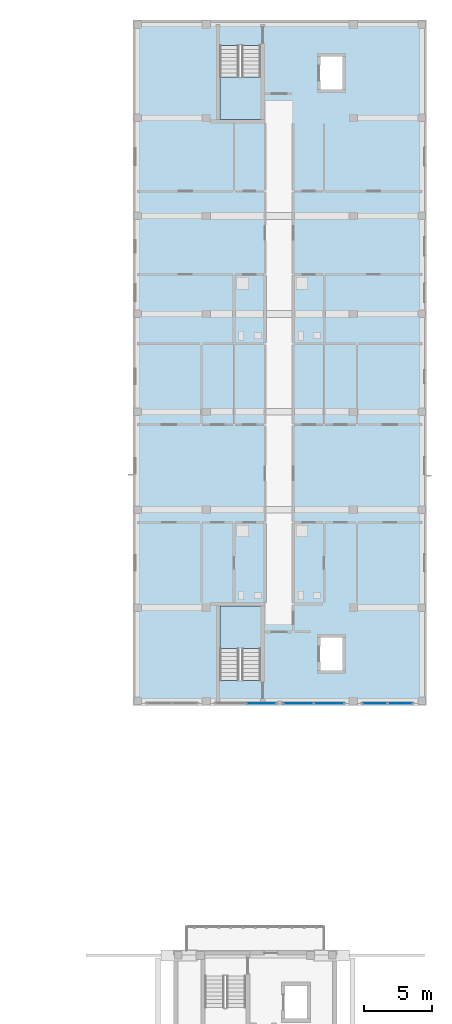
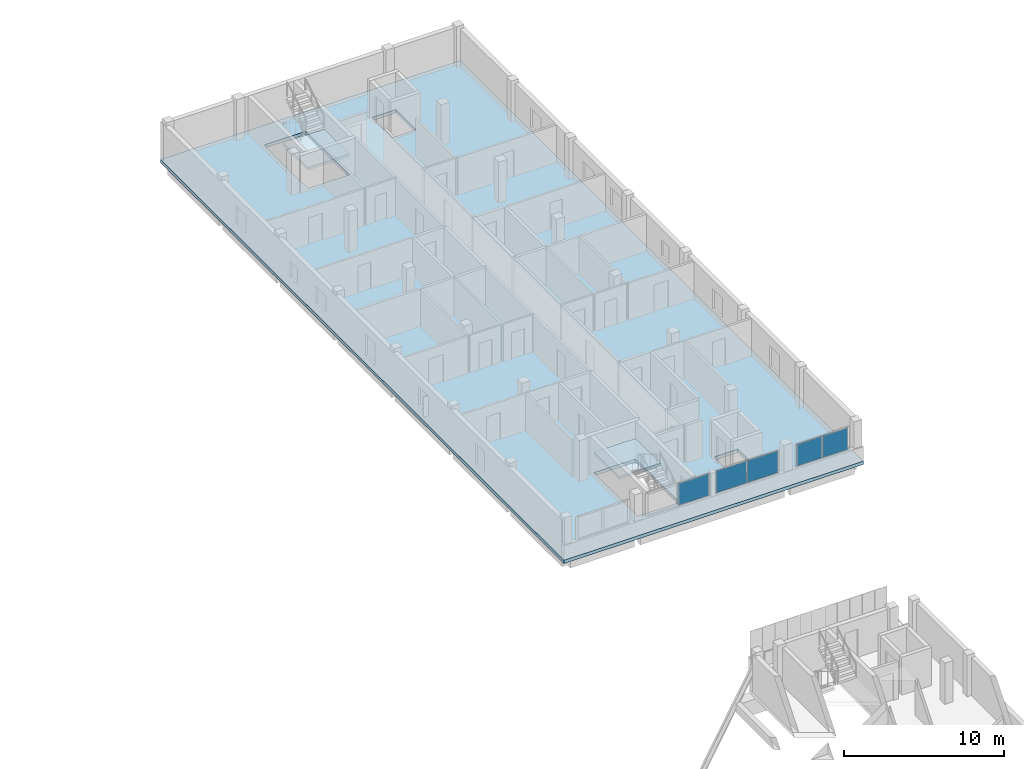
# One storey, part 10 of 34: 5 plates, 3 slabs, 5 elements without a shape of their own.
"""IFC4 building model written with IfcOpenShell, lengths in metres."""

from ifc_helpers import new_model, si_unit, derived_unit, direction, frame, origin, origin_2d, place, context, subcontext, project, spatial, polyline, rectangle, outline, extrude, material, layer, layer_set, type_object, element, aggregate, save


model = new_model("IFC4")

# Units and contexts
model_context = context("Model", 3, precision=1e-05, world=origin(), true_north=direction((0.0, 1.0)))
body_context = subcontext(model_context, "Body", "Model", "MODEL_VIEW")
ifc_project = project(units=[si_unit("LENGTHUNIT", "METRE"), si_unit("AREAUNIT", "SQUARE_METRE"), si_unit("VOLUMEUNIT", "CUBIC_METRE"), si_unit("PLANEANGLEUNIT", "RADIAN"), si_unit("MASSUNIT", "GRAM", prefix="KILO"), derived_unit("THERMALTRANSMITTANCEUNIT", [(si_unit("MASSUNIT", "GRAM", prefix="KILO"), 1), (si_unit("TIMEUNIT", "SECOND"), -3), (si_unit("THERMODYNAMICTEMPERATUREUNIT", "KELVIN"), -1)])], contexts=[model_context])

# Site, building, storey
site_placement = place(None, origin())
site = spatial("IfcSite", under=ifc_project, at=site_placement, CompositionType="ELEMENT")
building_placement = place(site_placement, origin())
building = spatial("IfcBuilding", under=site, at=building_placement, Name="Ochrekiln Boulevard Commons", CompositionType="ELEMENT")
storey_placement = place(building_placement, frame((0.0, 0.0, 27.824951171875)))
storey = spatial("IfcBuildingStorey", under=building, at=storey_placement, Name="L08", CompositionType="ELEMENT", Elevation=27.824951171875)

# Curtain wall, plate
ifc_material_1 = material(Name="Bronze-anodized extruded aluminium 6063-T6", Category="aluminium")
ifc_layer_1 = layer(ifc_material_1, 0.18408203125)
ifc_layer_set_1 = layer_set([ifc_layer_1], Name="Bronze-anodized extruded aluminium 6063-T6")
curtain_wall_type = type_object("IfcCurtainWallType", Name="CW-GABLE-B", PredefinedType="USERDEFINED", material=ifc_layer_set_1)
curtain_wall_1_placement = place(storey_placement, origin())
curtain_wall_1 = element("IfcCurtainWall", 1, at=curtain_wall_1_placement, inside=storey, type_object=curtain_wall_type, Name="Block B L08 Courtyard Glazed Gable Curtain Wall 2", ObjectType="GLAZED CURTAIN WALL", PredefinedType="USERDEFINED")
ifc_material_2 = material(Name="Spectrally selective low-E insulated glazing", Category="glass")
ifc_layer_2 = layer(ifc_material_2, 0.02392578125)
ifc_layer_set_2 = layer_set([ifc_layer_2], Name="Spectrally selective low-E insulated glazing")
plate_type_1 = type_object("IfcPlateType", Name="CWP-GLZ-1", PredefinedType="CURTAIN_PANEL", material=ifc_layer_set_2)
plate_1_placement = place(storey_placement, frame((160.638671875, 68.570068359375, 1.175048828125), z_axis=(0.0, 0.0, 1.0), x_axis=(1.0, 0.0, 0.0)))
plate_1 = element("IfcPlate", 2, at=plate_1_placement, type_object=plate_type_1, Name="CW-02 panel 2.1", PredefinedType="CURTAIN_PANEL", context=body_context, shape_type="SweptSolid", body=[
    extrude(rectangle(XDim=2.1923828125, YDim=0.02392578125, at=origin_2d()), origin(), (0.0, 0.0, 1.0), 1.64990234375),
])
aggregate(curtain_wall_1, [plate_1])

# Curtain wall, plates
curtain_wall_2_placement = place(storey_placement, origin())
curtain_wall_2 = element("IfcCurtainWall", 3, at=curtain_wall_2_placement, inside=storey, type_object=curtain_wall_type, Name="Block B L08 Courtyard Glazed Gable Curtain Wall 3", ObjectType="GLAZED CURTAIN WALL", PredefinedType="USERDEFINED")
ifc_layer_3 = layer(ifc_material_2, 0.030029296875)
ifc_layer_set_3 = layer_set([ifc_layer_3], Name="Spectrally selective low-E insulated glazing")
plate_type_2 = type_object("IfcPlateType", Name="CWP-GLZ-2", PredefinedType="CURTAIN_PANEL", material=ifc_layer_set_3)
plate_2_placement = place(storey_placement, frame((163.360107421875, 68.570068359375, 1.169921875), z_axis=(0.0, 0.0, 1.0), x_axis=(1.0, 0.0, 0.0)))
plate_2 = element("IfcPlate", 4, at=plate_2_placement, type_object=plate_type_2, Name="CW-02 panel 1.1", PredefinedType="CURTAIN_PANEL", context=body_context, shape_type="SweptSolid", body=[
    extrude(rectangle(XDim=2.199951171875, YDim=0.030029296875, at=origin_2d()), origin(), (0.0, 0.0, 1.0), 1.659912109375),
])
plate_3_placement = place(storey_placement, frame((165.6201171875, 68.570068359375, 1.169921875), z_axis=(0.0, 0.0, 1.0), x_axis=(1.0, 0.0, 0.0)))
plate_3 = element("IfcPlate", 5, at=plate_3_placement, type_object=plate_type_2, Name="CW-02 panel 2.1", PredefinedType="CURTAIN_PANEL", context=body_context, shape_type="SweptSolid", body=[
    extrude(rectangle(XDim=2.199951171875, YDim=0.030029296875, at=origin_2d()), origin(), (0.0, 0.0, 1.0), 1.659912109375),
])
aggregate(curtain_wall_2, [plate_2, plate_3])

curtain_wall_3_placement = place(storey_placement, origin())
curtain_wall_3 = element("IfcCurtainWall", 6, at=curtain_wall_3_placement, inside=storey, type_object=curtain_wall_type, Name="Block B L08 Courtyard Glazed Gable Curtain Wall 4", ObjectType="GLAZED CURTAIN WALL", PredefinedType="USERDEFINED")
ifc_layer_4 = layer(ifc_material_2, 0.035888671875)
ifc_layer_set_4 = layer_set([ifc_layer_4], Name="Spectrally selective low-E insulated glazing")
plate_type_3 = type_object("IfcPlateType", Name="CWP-GLZ-3", PredefinedType="CURTAIN_PANEL", material=ifc_layer_set_4)
plate_4_placement = place(storey_placement, frame((168.98876953125, 68.570068359375, 1.175048828125), z_axis=(0.0, 0.0, 1.0), x_axis=(1.0, 0.0, 0.0)))
plate_4 = element("IfcPlate", 7, at=plate_4_placement, type_object=plate_type_3, Name="CW-02 panel 1.1", PredefinedType="CURTAIN_PANEL", context=body_context, shape_type="SweptSolid", body=[
    extrude(rectangle(XDim=1.8076171875, YDim=0.035888671875, at=origin_2d()), origin(), (0.0, 0.0, 1.0), 1.64990234375),
])
plate_5_placement = place(storey_placement, frame((170.861328125, 68.570068359375, 1.175048828125), z_axis=(0.0, 0.0, 1.0), x_axis=(1.0, 0.0, 0.0)))
plate_5 = element("IfcPlate", 8, at=plate_5_placement, type_object=plate_type_3, Name="CW-02 panel 2.1", PredefinedType="CURTAIN_PANEL", context=body_context, shape_type="SweptSolid", body=[
    extrude(rectangle(XDim=1.8076171875, YDim=0.035888671875, at=origin_2d()), origin(), (0.0, 0.0, 1.0), 1.64990234375),
])
aggregate(curtain_wall_3, [plate_4, plate_5])

# Stair, slab
ifc_material_3 = material(Name="Concrete C35/45", Category="concrete")
stair_type = type_object("IfcStairType", Name="STR-DL-315", PredefinedType="TWO_STRAIGHT_RUN_STAIR", material=ifc_material_3)
stair_1_placement = place(storey_placement, origin())
stair_1 = element("IfcStair", 9, at=stair_1_placement, inside=storey, type_object=stair_type, Name="L08 Enclosed Exit Stair ST-B1", PredefinedType="TWO_STRAIGHT_RUN_STAIR")
ifc_layer_5 = layer(ifc_material_3, 0.199951171875)
ifc_layer_set_5 = layer_set([ifc_layer_5], Name="Concrete C35/45")
slab_type_1 = type_object("IfcSlabType", Name="SLB-LND-200", PredefinedType="LANDING", material=ifc_layer_set_5)
slab_1_placement = place(storey_placement, frame((0.0, 0.0, 1.375)))
slab_1 = element("IfcSlab", 10, at=slab_1_placement, type_object=slab_type_1, Name="ST-B1 landing 1", PredefinedType="LANDING", context=body_context, shape_type="SweptSolid", body=[
    extrude(outline(polyline([(160.60009765625, 72.590087890625), (160.60009765625, 75.719970703125), (157.60009765625, 75.719970703125), (157.60009765625, 72.590087890625), (160.60009765625, 72.590087890625)])), origin(), (0.0, 0.0, 1.0), 0.199951171875),
])
aggregate(stair_1, [slab_1])

stair_2_placement = place(storey_placement, origin())
stair_2 = element("IfcStair", 11, at=stair_2_placement, inside=storey, type_object=stair_type, Name="L08 Enclosed Exit Stair ST-B2", PredefinedType="TWO_STRAIGHT_RUN_STAIR")
slab_2_placement = place(storey_placement, frame((0.0, 0.0, 1.375)))
slab_2 = element("IfcSlab", 12, at=slab_2_placement, type_object=slab_type_1, Name="ST-B2 landing 1", PredefinedType="LANDING", context=body_context, shape_type="SweptSolid", body=[
    extrude(outline(polyline([(157.60009765625, 114.610107421875), (157.60009765625, 111.47998046875), (160.60009765625, 111.47998046875), (160.60009765625, 114.610107421875), (157.60009765625, 114.610107421875)])), origin(), (0.0, 0.0, 1.0), 0.199951171875),
])
aggregate(stair_2, [slab_2])

# Slab
ifc_layer_6 = layer(ifc_material_3, 0.25)
ifc_layer_set_6 = layer_set([ifc_layer_6], Name="Concrete C35/45")
slab_type_2 = type_object("IfcSlabType", Name="SLB-LOFT-250", PredefinedType="FLOOR", material=ifc_layer_set_6)
slab_3_placement = place(storey_placement, frame((0.0, 0.0, -0.25)))
element("IfcSlab", 13, at=slab_3_placement, inside=storey, type_object=slab_type_2, Name="Block B L08 Reinforced Concrete Floor Slab", PredefinedType="FLOOR", context=body_context, shape_type="SweptSolid", body=[
    extrude(outline(polyline([(151.199951171875, 68.39990234375), (172.800048828125, 68.39990234375), (172.800048828125, 118.800048828125), (151.199951171875, 118.800048828125), (151.199951171875, 68.39990234375)]), holes=[polyline([(160.60009765625, 70.2705078125), (160.60009765625, 75.719970703125), (157.60009765625, 75.719970703125), (157.60009765625, 70.2705078125), (160.60009765625, 70.2705078125)]), polyline([(157.60009765625, 116.929443359375), (157.60009765625, 111.47998046875), (160.60009765625, 111.47998046875), (160.60009765625, 116.929443359375), (157.60009765625, 116.929443359375)]), polyline([(164.949951171875, 70.949951171875), (166.64990234375, 70.949951171875), (166.64990234375, 73.449951171875), (164.949951171875, 73.449951171875), (164.949951171875, 70.949951171875)]), polyline([(164.949951171875, 113.64990234375), (166.64990234375, 113.64990234375), (166.64990234375, 116.14990234375), (164.949951171875, 116.14990234375), (164.949951171875, 113.64990234375)])]), origin(), (0.0, 0.0, 1.0), 0.25),
])

save(model, "model.ifc")
